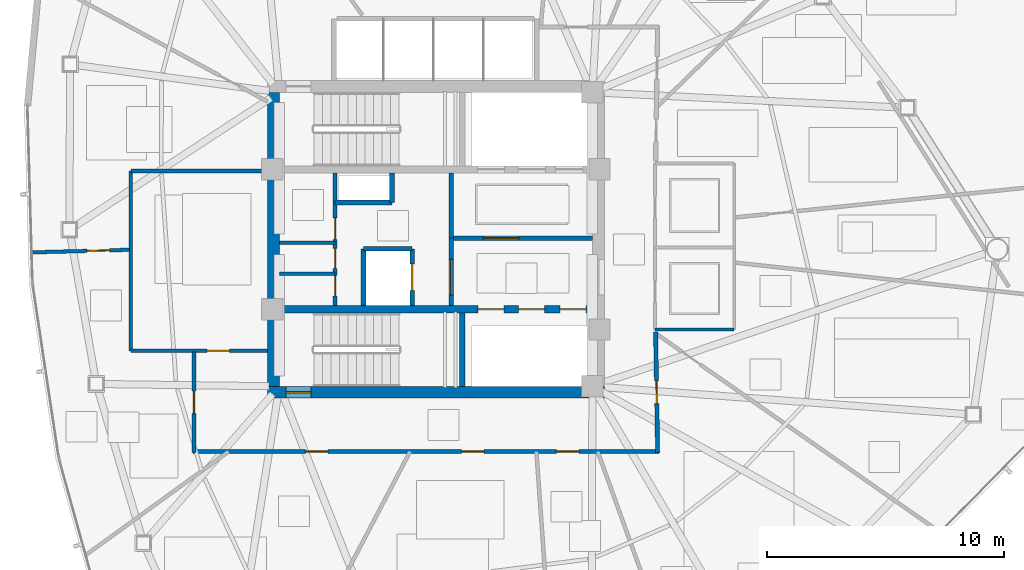
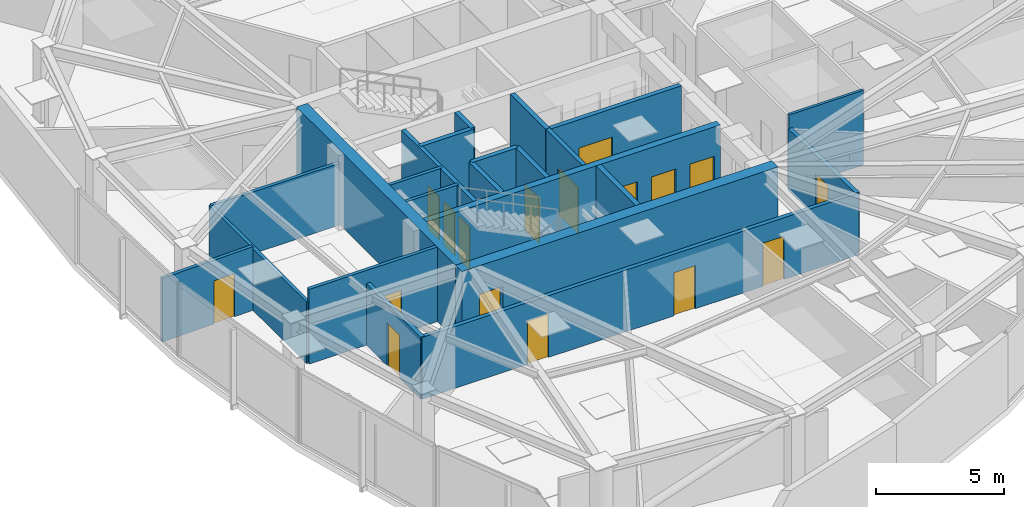
# One storey, part 12 of 18: 23 walls, 17 doors, 17 openings.
"""IFC4 building model written with IfcOpenShell, lengths in metres."""

from ifc_helpers import new_model, si_unit, direction, frame, frame_2d, origin, place, context, subcontext, project, spatial, rectangle, extrude, material, layer, layer_set, type_object, element, fill, save


model = new_model("IFC4")

# Units and contexts
model_context = context("Model", 3, precision=1e-05, world=origin(), true_north=direction((0.0, 1.0)))
body_context = subcontext(model_context, "Body", "Model", "MODEL_VIEW")
ifc_project = project(units=[si_unit("LENGTHUNIT", "METRE"), si_unit("AREAUNIT", "SQUARE_METRE"), si_unit("VOLUMEUNIT", "CUBIC_METRE"), si_unit("PLANEANGLEUNIT", "RADIAN"), si_unit("MASSUNIT", "GRAM", prefix="KILO")], contexts=[model_context])

# Site, building, storey
site_placement = place(None, origin())
site = spatial("IfcSite", under=ifc_project, at=site_placement, CompositionType="ELEMENT")
building_placement = place(site_placement, origin())
building = spatial("IfcBuilding", under=site, at=building_placement, Name="Tavelor Broadcast Tower", CompositionType="ELEMENT")
storey_placement = place(building_placement, frame((0.0, 0.0, 181.050048828125)))
storey = spatial("IfcBuildingStorey", under=building, at=storey_placement, Name="L43", CompositionType="ELEMENT", Elevation=181.050048828125)

# Wall, opening, door
ifc_material_1 = material(Name="Concrete C50/60", Category="concrete")
ifc_layer_1 = layer(ifc_material_1, 0.5)
ifc_layer_set_1 = layer_set([ifc_layer_1], Name="Concrete C50/60")
wall_type_1 = type_object("IfcWallType", Name="Core Shear Wall 500 mm", PredefinedType="SHEAR", material=ifc_layer_set_1)
wall_1_placement = place(storey_placement, frame((42.89990234375, 38.550048828125, 0.0), z_axis=(0.0, 0.0, 1.0), x_axis=(1.0, 0.0, 0.0)))
wall_1 = element("IfcWall", 1, at=wall_1_placement, inside=storey, type_object=wall_type_1, Name="L43 Central Core Shear Wall S", PredefinedType="SHEAR", context=body_context, shape_type="SweptSolid", body=[
    extrude(rectangle(XDim=14.2001953125, YDim=0.5, at=frame_2d((7.10009765625, 0.0))), origin(), (0.0, 0.0, 1.0), 3.550048828125),
])
opening_1_placement = place(wall_1_placement, frame((0.780029296875, 0.0, 0.0)))
opening_1 = element("IfcOpeningElement", 2, at=opening_1_placement, cuts=wall_1, Name="Opening DR11", PredefinedType="OPENING", context=body_context, shape_type="SweptSolid", body=[
    extrude(rectangle(XDim=1.050048828125, YDim=2.199951171875, at=frame_2d((0.52490234375, 1.10009765625))), frame((0.0, 0.260009765625, 0.0), z_axis=(0.0, -1.0, 0.0), x_axis=(1.0, 0.0, 0.0)), (0.0, 0.0, 1.0), 0.52001953125),
])
ifc_material_2 = material(Name="Steel S355", Category="steel")
door_type_1 = type_object("IfcDoorType", Name="Stair Core Fire Escape Door 1050x2200", OperationType="NOTDEFINED", PredefinedType="DOOR", material=ifc_material_2)
door_1_placement = place(opening_1_placement, origin())
door_1 = element("IfcDoor", 3, at=door_1_placement, inside=storey, type_object=door_type_1, Name="L43 Stair ST2 Protected Exit Door", OperationType="SINGLE_SWING_RIGHT", OverallHeight=2.199951171875, OverallWidth=1.050048828125, PredefinedType="DOOR", context=body_context, shape_type="SweptSolid", body=[
    extrude(rectangle(XDim=1.050048828125, YDim=2.199951171875, at=frame_2d((0.52490234375, 1.10009765625))), frame((0.0, 0.02490234375, 0.0), z_axis=(0.0, -1.0, 0.0), x_axis=(1.0, 0.0, 0.0)), (0.0, 0.0, 1.0), 0.050048828125),
])
fill(opening_1, door_1)

# Wall
wall_2_placement = place(storey_placement, frame((43.14990234375, 38.800048828125, 0.0), z_axis=(0.0, 0.0, 1.0), x_axis=(0.0, 1.0, 0.0)))
element("IfcWall", 4, at=wall_2_placement, inside=storey, type_object=wall_type_1, Name="L43 Central Core Shear Wall W", PredefinedType="SHEAR", context=body_context, shape_type="SweptSolid", body=[
    extrude(rectangle(XDim=12.39990234375, YDim=0.5, at=frame_2d((6.199951171875, 0.0))), origin(), (0.0, 0.0, 1.0), 3.550048828125),
])

# Wall, openings, doors
ifc_layer_2 = layer(ifc_material_1, 0.300048828125)
ifc_layer_set_2 = layer_set([ifc_layer_2], Name="Concrete C50/60")
wall_type_2 = type_object("IfcWallType", Name="Core Spine Shear Wall 300 mm C50", PredefinedType="SHEAR", material=ifc_layer_set_2)
wall_3_placement = place(storey_placement, frame((43.39990234375, 42.050048828125, 0.0), z_axis=(0.0, 0.0, 1.0), x_axis=(1.0, 0.0, 0.0)))
wall_3 = element("IfcWall", 5, at=wall_3_placement, inside=storey, type_object=wall_type_2, Name="L43 Central Core Shear Wall SP2", PredefinedType="SHEAR", context=body_context, shape_type="SweptSolid", body=[
    extrude(rectangle(XDim=13.2001953125, YDim=0.300048828125, at=frame_2d((6.60009765625, 0.0))), origin(), (0.0, 0.0, 1.0), 3.550048828125),
])
opening_2_placement = place(wall_3_placement, frame((8.3701171875, 0.0, 0.0)))
opening_2 = element("IfcOpeningElement", 6, at=opening_2_placement, cuts=wall_3, Name="Opening LD01", PredefinedType="OPENING", context=body_context, shape_type="SweptSolid", body=[
    extrude(rectangle(XDim=1.10009765625, YDim=2.14990234375, at=frame_2d((0.550048828125, 1.074951171875))), frame((0.0, 0.16015625, 0.0), z_axis=(0.0, -1.0, 0.0), x_axis=(1.0, 0.0, 0.0)), (0.0, 0.0, 1.0), 0.320068359375),
])
opening_3_placement = place(wall_3_placement, frame((10.090087890625, 0.0, 0.0)))
opening_3 = element("IfcOpeningElement", 7, at=opening_3_placement, cuts=wall_3, Name="Opening LD01", PredefinedType="OPENING", context=body_context, shape_type="SweptSolid", body=[
    extrude(rectangle(XDim=1.10009765625, YDim=2.14990234375, at=frame_2d((0.550048828125, 1.074951171875))), frame((0.0, 0.16015625, 0.0), z_axis=(0.0, -1.0, 0.0), x_axis=(1.0, 0.0, 0.0)), (0.0, 0.0, 1.0), 0.320068359375),
])
opening_4_placement = place(wall_3_placement, frame((11.830078125, 0.0, 0.0)))
opening_4 = element("IfcOpeningElement", 8, at=opening_4_placement, cuts=wall_3, Name="Opening LD01", PredefinedType="OPENING", context=body_context, shape_type="SweptSolid", body=[
    extrude(rectangle(XDim=1.10009765625, YDim=2.14990234375, at=frame_2d((0.550048828125, 1.074951171875))), frame((0.0, 0.16015625, 0.0), z_axis=(0.0, -1.0, 0.0), x_axis=(1.0, 0.0, 0.0)), (0.0, 0.0, 1.0), 0.320068359375),
])
ifc_material_3 = material(Name="Brushed Stainless Steel", Category="steel")
door_type_2 = type_object("IfcDoorType", Name="Passenger Lift Sliding Landing Door 1100x2150", OperationType="NOTDEFINED", PredefinedType="DOOR", material=ifc_material_3)
door_2_placement = place(opening_2_placement, origin())
door_2 = element("IfcDoor", 9, at=door_2_placement, inside=storey, type_object=door_type_2, Name="L43 Lift PLM1 Sliding Landing Door", OperationType="SLIDING_TO_LEFT", OverallHeight=2.14990234375, OverallWidth=1.10009765625, PredefinedType="DOOR", context=body_context, shape_type="SweptSolid", body=[
    extrude(rectangle(XDim=1.10009765625, YDim=2.14990234375, at=frame_2d((0.550048828125, 1.074951171875))), frame((0.0, 0.02490234375, 0.0), z_axis=(0.0, -1.0, 0.0), x_axis=(1.0, 0.0, 0.0)), (0.0, 0.0, 1.0), 0.050048828125),
])
fill(opening_2, door_2)
door_3_placement = place(opening_3_placement, origin())
door_3 = element("IfcDoor", 10, at=door_3_placement, inside=storey, type_object=door_type_2, Name="L43 Lift PLM2 Sliding Landing Door", OperationType="SLIDING_TO_LEFT", OverallHeight=2.14990234375, OverallWidth=1.10009765625, PredefinedType="DOOR", context=body_context, shape_type="SweptSolid", body=[
    extrude(rectangle(XDim=1.10009765625, YDim=2.14990234375, at=frame_2d((0.550048828125, 1.074951171875))), frame((0.0, 0.02490234375, 0.0), z_axis=(0.0, -1.0, 0.0), x_axis=(1.0, 0.0, 0.0)), (0.0, 0.0, 1.0), 0.050048828125),
])
fill(opening_3, door_3)
door_4_placement = place(opening_4_placement, origin())
door_4 = element("IfcDoor", 11, at=door_4_placement, inside=storey, type_object=door_type_2, Name="L43 Lift PLM3 Sliding Landing Door", OperationType="SLIDING_TO_LEFT", OverallHeight=2.14990234375, OverallWidth=1.10009765625, PredefinedType="DOOR", context=body_context, shape_type="SweptSolid", body=[
    extrude(rectangle(XDim=1.10009765625, YDim=2.14990234375, at=frame_2d((0.550048828125, 1.074951171875))), frame((0.0, 0.02490234375, 0.0), z_axis=(0.0, -1.0, 0.0), x_axis=(1.0, 0.0, 0.0)), (0.0, 0.0, 1.0), 0.050048828125),
])
fill(opening_4, door_4)

# Wall, opening, door
ifc_material_4 = material(Name="Calcium Silicate Fire Board 180 mm", Category="gypsum")
ifc_layer_3 = layer(ifc_material_4, 0.179931640625)
ifc_layer_set_3 = layer_set([ifc_layer_3], Name="Calcium Silicate Fire Board 180 mm")
wall_type_3 = type_object("IfcWallType", Name="Fire-Rated Corridor Partition Wall 180 mm", PredefinedType="PARTITIONING", material=ifc_layer_set_3)
wall_4_placement = place(storey_placement, frame((50.64990234375, 42.199951171875, 0.0), z_axis=(0.0, 0.0, 1.0), x_axis=(0.0, 1.0, 0.0)))
wall_4 = element("IfcWall", 12, at=wall_4_placement, inside=storey, type_object=wall_type_3, Name="L43 Core Lobby Zoning Wall", PredefinedType="PARTITIONING", context=body_context, shape_type="SweptSolid", body=[
    extrude(rectangle(XDim=2.85009765625, YDim=0.179931640625, at=frame_2d((1.425048828125, 0.0))), origin(), (0.0, 0.0, 1.0), 3.550048828125),
])
opening_5_placement = place(wall_4_placement, frame((0.449951171875, 0.0, 0.0)))
opening_5 = element("IfcOpeningElement", 13, at=opening_5_placement, cuts=wall_4, Name="Opening DR14", PredefinedType="OPENING", context=body_context, shape_type="SweptSolid", body=[
    extrude(rectangle(XDim=1.5, YDim=2.199951171875, at=frame_2d((0.75, 1.10009765625))), frame((0.0, 0.10009765625, 0.0), z_axis=(0.0, -1.0, 0.0), x_axis=(1.0, 0.0, 0.0)), (0.0, 0.0, 1.0), 0.199951171875),
])
door_type_3 = type_object("IfcDoorType", Name="Firefighting Lobby Double Fire Door 1500x2200", OperationType="NOTDEFINED", PredefinedType="DOOR", material=ifc_material_2)
door_5_placement = place(opening_5_placement, origin())
door_5 = element("IfcDoor", 14, at=door_5_placement, inside=storey, type_object=door_type_3, Name="L43 Core West Lobby Double Fire Door", OperationType="SINGLE_SWING_RIGHT", OverallHeight=2.199951171875, OverallWidth=1.5, PredefinedType="DOOR", context=body_context, shape_type="SweptSolid", body=[
    extrude(rectangle(XDim=1.5, YDim=2.199951171875, at=frame_2d((0.75, 1.10009765625))), frame((0.0, 0.02490234375, 0.0), z_axis=(0.0, -1.0, 0.0), x_axis=(1.0, 0.0, 0.0)), (0.0, 0.0, 1.0), 0.050048828125),
])
fill(opening_5, door_5)

# Wall, openings, doors
wall_5_placement = place(storey_placement, frame((45.75, 42.199951171875, 0.0), z_axis=(0.0, 0.0, 1.0), x_axis=(0.0, 1.0, 0.0)))
wall_5 = element("IfcWall", 15, at=wall_5_placement, inside=storey, type_object=wall_type_3, Name="L43 Core West Service East Wall", PredefinedType="PARTITIONING", context=body_context, shape_type="SweptSolid", body=[
    extrude(rectangle(XDim=5.60009765625, YDim=0.179931640625, at=frame_2d((2.800048828125, 0.0))), origin(), (0.0, 0.0, 1.0), 3.550048828125),
])
opening_6_placement = place(wall_5_placement, frame((0.419921875, 0.0, 0.0)))
opening_6 = element("IfcOpeningElement", 16, at=opening_6_placement, cuts=wall_5, Name="Opening DR36", PredefinedType="OPENING", context=body_context, shape_type="SweptSolid", body=[
    extrude(rectangle(XDim=0.85009765625, YDim=2.050048828125, at=frame_2d((0.425048828125, 1.02490234375))), frame((0.0, 0.10009765625, 0.0), z_axis=(0.0, -1.0, 0.0), x_axis=(1.0, 0.0, 0.0)), (0.0, 0.0, 1.0), 0.199951171875),
])
opening_7_placement = place(wall_5_placement, frame((1.570068359375, 0.0, 0.0)))
opening_7 = element("IfcOpeningElement", 17, at=opening_7_placement, cuts=wall_5, Name="Opening DR36", PredefinedType="OPENING", context=body_context, shape_type="SweptSolid", body=[
    extrude(rectangle(XDim=0.85009765625, YDim=2.050048828125, at=frame_2d((0.425048828125, 1.02490234375))), frame((0.0, 0.10009765625, 0.0), z_axis=(0.0, -1.0, 0.0), x_axis=(1.0, 0.0, 0.0)), (0.0, 0.0, 1.0), 0.199951171875),
])
opening_8_placement = place(wall_5_placement, frame((2.800048828125, 0.0, 0.0)))
opening_8 = element("IfcOpeningElement", 18, at=opening_8_placement, cuts=wall_5, Name="Opening DR32", PredefinedType="OPENING", context=body_context, shape_type="SweptSolid", body=[
    extrude(rectangle(XDim=0.89990234375, YDim=2.050048828125, at=frame_2d((0.449951171875, 1.02490234375))), frame((0.0, 0.10009765625, 0.0), z_axis=(0.0, -1.0, 0.0), x_axis=(1.0, 0.0, 0.0)), (0.0, 0.0, 1.0), 0.199951171875),
])
ifc_material_5 = material(Name="Timber Solid Core Hardwood", Category="wood")
door_type_4 = type_object("IfcDoorType", Name="Accessible Washroom Door 900x2050", OperationType="NOTDEFINED", PredefinedType="DOOR", material=ifc_material_5)
door_6_placement = place(opening_8_placement, origin())
door_6 = element("IfcDoor", 19, at=door_6_placement, inside=storey, type_object=door_type_4, Name="L43 Core Accessible WC Door", OperationType="SINGLE_SWING_LEFT", OverallHeight=2.050048828125, OverallWidth=0.89990234375, PredefinedType="DOOR", context=body_context, shape_type="SweptSolid", body=[
    extrude(rectangle(XDim=0.89990234375, YDim=2.050048828125, at=frame_2d((0.449951171875, 1.02490234375))), frame((0.0, 0.02490234375, 0.0), z_axis=(0.0, -1.0, 0.0), x_axis=(1.0, 0.0, 0.0)), (0.0, 0.0, 1.0), 0.050048828125),
])
fill(opening_8, door_6)
door_type_5 = type_object("IfcDoorType", Name="Service Room Fire Door 850x2050", OperationType="NOTDEFINED", PredefinedType="DOOR", material=ifc_material_2)
door_7_placement = place(opening_6_placement, origin())
door_7 = element("IfcDoor", 20, at=door_7_placement, inside=storey, type_object=door_type_5, Name="L43 Core Medical Room Door", OperationType="SINGLE_SWING_LEFT", OverallHeight=2.050048828125, OverallWidth=0.85009765625, PredefinedType="DOOR", context=body_context, shape_type="SweptSolid", body=[
    extrude(rectangle(XDim=0.85009765625, YDim=2.050048828125, at=frame_2d((0.425048828125, 1.02490234375))), frame((0.0, 0.02490234375, 0.0), z_axis=(0.0, -1.0, 0.0), x_axis=(1.0, 0.0, 0.0)), (0.0, 0.0, 1.0), 0.050048828125),
])
fill(opening_6, door_7)
door_8_placement = place(opening_7_placement, origin())
door_8 = element("IfcDoor", 21, at=door_8_placement, inside=storey, type_object=door_type_5, Name="L43 Core Copy Room Door", OperationType="SINGLE_SWING_RIGHT", OverallHeight=2.050048828125, OverallWidth=0.85009765625, PredefinedType="DOOR", context=body_context, shape_type="SweptSolid", body=[
    extrude(rectangle(XDim=0.85009765625, YDim=2.050048828125, at=frame_2d((0.425048828125, 1.02490234375))), frame((0.0, 0.02490234375, 0.0), z_axis=(0.0, -1.0, 0.0), x_axis=(1.0, 0.0, 0.0)), (0.0, 0.0, 1.0), 0.050048828125),
])
fill(opening_7, door_8)

# Wall, opening, door
wall_6_placement = place(storey_placement, frame((59.265869140625, 41.10009765625, 0.0), z_axis=(0.0, 0.0, 1.0), x_axis=(0.016656377357, -0.999861272924, 0.0)))
wall_6 = element("IfcWall", 22, at=wall_6_placement, inside=storey, type_object=wall_type_3, Name="L43 Corridor Compartment Wall 03", PredefinedType="PARTITIONING", context=body_context, shape_type="SweptSolid", body=[
    extrude(rectangle(XDim=5.100830078125, YDim=0.179931640625, at=frame_2d((2.55029296875, 0.0))), origin(), (0.0, 0.0, 1.0), 2.93505859375),
])
opening_9_placement = place(wall_6_placement, frame((2.0751953125, 0.0, 0.0)))
opening_9 = element("IfcOpeningElement", 23, at=opening_9_placement, cuts=wall_6, Name="Opening DR18", PredefinedType="OPENING", context=body_context, shape_type="SweptSolid", body=[
    extrude(rectangle(XDim=0.949951171875, YDim=2.050048828125, at=frame_2d((0.47509765625, 1.02490234375))), frame((0.0, 0.10009765625, 0.0), z_axis=(0.0, -1.0, 0.0), x_axis=(1.0, 0.0, 0.0)), (0.0, 0.0, 1.0), 0.199951171875),
])
door_type_6 = type_object("IfcDoorType", Name="Corridor Rated Compartment Door 950x2050", OperationType="NOTDEFINED", PredefinedType="DOOR", material=ifc_material_5)
door_9_placement = place(opening_9_placement, origin())
door_9 = element("IfcDoor", 24, at=door_9_placement, inside=storey, type_object=door_type_6, Name="L43 Syndication Legal Office Door R0", OperationType="SINGLE_SWING_LEFT", OverallHeight=2.050048828125, OverallWidth=0.949951171875, PredefinedType="DOOR", context=body_context, shape_type="SweptSolid", body=[
    extrude(rectangle(XDim=0.949951171875, YDim=2.050048828125, at=frame_2d((0.47509765625, 1.02490234375))), frame((0.0, 0.02490234375, 0.0), z_axis=(0.0, -1.0, 0.0), x_axis=(1.0, 0.0, 0.0)), (0.0, 0.0, 1.0), 0.050048828125),
])
fill(opening_9, door_9)

# Wall, openings, doors
wall_7_placement = place(storey_placement, frame((59.39990234375, 36.050048828125, 0.0), z_axis=(0.0, 0.0, 1.0), x_axis=(-1.0, 0.0, 0.0)))
wall_7 = element("IfcWall", 25, at=wall_7_placement, inside=storey, type_object=wall_type_3, Name="L43 Corridor Compartment Wall 04", PredefinedType="PARTITIONING", context=body_context, shape_type="SweptSolid", body=[
    extrude(rectangle(XDim=19.64990234375, YDim=0.179931640625, at=frame_2d((9.824951171875, 0.0))), origin(), (0.0, 0.0, 1.0), 2.93505859375),
])
opening_10_placement = place(wall_7_placement, frame((3.373779296875, 0.0, 0.0)))
opening_10 = element("IfcOpeningElement", 26, at=opening_10_placement, cuts=wall_7, Name="Opening DR18", PredefinedType="OPENING", context=body_context, shape_type="SweptSolid", body=[
    extrude(rectangle(XDim=0.949951171875, YDim=2.050048828125, at=frame_2d((0.47509765625, 1.02490234375))), frame((0.0, 0.10009765625, 0.0), z_axis=(0.0, -1.0, 0.0), x_axis=(1.0, 0.0, 0.0)), (0.0, 0.0, 1.0), 0.199951171875),
])
opening_11_placement = place(wall_7_placement, frame((7.369384765625, 0.0, 0.0)))
opening_11 = element("IfcOpeningElement", 27, at=opening_11_placement, cuts=wall_7, Name="Opening DR18", PredefinedType="OPENING", context=body_context, shape_type="SweptSolid", body=[
    extrude(rectangle(XDim=0.949951171875, YDim=2.050048828125, at=frame_2d((0.47509765625, 1.02490234375))), frame((0.0, 0.10009765625, 0.0), z_axis=(0.0, -1.0, 0.0), x_axis=(1.0, 0.0, 0.0)), (0.0, 0.0, 1.0), 0.199951171875),
])
opening_12_placement = place(wall_7_placement, frame((13.95703125, 0.0, 0.0)))
opening_12 = element("IfcOpeningElement", 28, at=opening_12_placement, cuts=wall_7, Name="Opening DR18", PredefinedType="OPENING", context=body_context, shape_type="SweptSolid", body=[
    extrude(rectangle(XDim=0.949951171875, YDim=2.050048828125, at=frame_2d((0.47509765625, 1.02490234375))), frame((0.0, 0.10009765625, 0.0), z_axis=(0.0, -1.0, 0.0), x_axis=(1.0, 0.0, 0.0)), (0.0, 0.0, 1.0), 0.199951171875),
])
door_10_placement = place(opening_10_placement, origin())
door_10 = element("IfcDoor", 29, at=door_10_placement, inside=storey, type_object=door_type_6, Name="L43 Colour Grading Studio Door R13", OperationType="SINGLE_SWING_RIGHT", OverallHeight=2.050048828125, OverallWidth=0.949951171875, PredefinedType="DOOR", context=body_context, shape_type="SweptSolid", body=[
    extrude(rectangle(XDim=0.949951171875, YDim=2.050048828125, at=frame_2d((0.47509765625, 1.02490234375))), frame((0.0, 0.02490234375, 0.0), z_axis=(0.0, -1.0, 0.0), x_axis=(1.0, 0.0, 0.0)), (0.0, 0.0, 1.0), 0.050048828125),
])
fill(opening_10, door_10)
door_11_placement = place(opening_11_placement, origin())
door_11 = element("IfcDoor", 30, at=door_11_placement, inside=storey, type_object=door_type_6, Name="L43 Documentary Planning Office Door R2", OperationType="SINGLE_SWING_LEFT", OverallHeight=2.050048828125, OverallWidth=0.949951171875, PredefinedType="DOOR", context=body_context, shape_type="SweptSolid", body=[
    extrude(rectangle(XDim=0.949951171875, YDim=2.050048828125, at=frame_2d((0.47509765625, 1.02490234375))), frame((0.0, 0.02490234375, 0.0), z_axis=(0.0, -1.0, 0.0), x_axis=(1.0, 0.0, 0.0)), (0.0, 0.0, 1.0), 0.050048828125),
])
fill(opening_11, door_11)
door_12_placement = place(opening_12_placement, origin())
door_12 = element("IfcDoor", 31, at=door_12_placement, inside=storey, type_object=door_type_6, Name="L43 Digital Publishing Workspace Door R3", OperationType="SINGLE_SWING_RIGHT", OverallHeight=2.050048828125, OverallWidth=0.949951171875, PredefinedType="DOOR", context=body_context, shape_type="SweptSolid", body=[
    extrude(rectangle(XDim=0.949951171875, YDim=2.050048828125, at=frame_2d((0.47509765625, 1.02490234375))), frame((0.0, 0.02490234375, 0.0), z_axis=(0.0, -1.0, 0.0), x_axis=(1.0, 0.0, 0.0)), (0.0, 0.0, 1.0), 0.050048828125),
])
fill(opening_12, door_12)

# Wall, opening, door
wall_8_placement = place(storey_placement, frame((39.800048828125, 36.0, 0.0), z_axis=(0.0, 0.0, 1.0), x_axis=(0.0, 1.0, 0.0)))
wall_8 = element("IfcWall", 32, at=wall_8_placement, inside=storey, type_object=wall_type_3, Name="L43 Corridor Compartment Wall 05", PredefinedType="PARTITIONING", context=body_context, shape_type="SweptSolid", body=[
    extrude(rectangle(XDim=4.25, YDim=0.179931640625, at=frame_2d((2.125, 0.0))), origin(), (0.0, 0.0, 1.0), 2.93505859375),
])
opening_13_placement = place(wall_8_placement, frame((1.64990234375, 0.0, 0.0)))
opening_13 = element("IfcOpeningElement", 33, at=opening_13_placement, cuts=wall_8, Name="Opening DR18", PredefinedType="OPENING", context=body_context, shape_type="SweptSolid", body=[
    extrude(rectangle(XDim=0.949951171875, YDim=2.050048828125, at=frame_2d((0.47509765625, 1.02490234375))), frame((0.0, 0.10009765625, 0.0), z_axis=(0.0, -1.0, 0.0), x_axis=(1.0, 0.0, 0.0)), (0.0, 0.0, 1.0), 0.199951171875),
])
door_13_placement = place(opening_13_placement, origin())
door_13 = element("IfcDoor", 34, at=door_13_placement, inside=storey, type_object=door_type_6, Name="L43 Broadcast Editorial Office Door R4", OperationType="SINGLE_SWING_LEFT", OverallHeight=2.050048828125, OverallWidth=0.949951171875, PredefinedType="DOOR", context=body_context, shape_type="SweptSolid", body=[
    extrude(rectangle(XDim=0.949951171875, YDim=2.050048828125, at=frame_2d((0.47509765625, 1.02490234375))), frame((0.0, 0.02490234375, 0.0), z_axis=(0.0, -1.0, 0.0), x_axis=(1.0, 0.0, 0.0)), (0.0, 0.0, 1.0), 0.050048828125),
])
fill(opening_13, door_13)

# Walls
ifc_material_6 = material(Name="Gypsum Acoustic Plasterboard 150 mm", Category="gypsum")
ifc_layer_4 = layer(ifc_material_6, 0.14990234375)
ifc_layer_set_4 = layer_set([ifc_layer_4], Name="Gypsum Acoustic Plasterboard 150 mm")
wall_type_4 = type_object("IfcWallType", Name="Interior Acoustic Partition Wall 150 mm", PredefinedType="PARTITIONING", material=ifc_layer_set_4)
for number, where, z_axis, x_axis, name in (
    (35, (43.39990234375, 43.550048828125, 0.0), (0.0, 0.0, 1.0), (1.0, 0.0, 0.0), "L43 Core Split Wall B1"),
    (36, (43.39990234375, 44.85009765625, 0.0), (0.0, 0.0, 1.0), (1.0, 0.0, 0.0), "L43 Core Split Wall B2"),
):
    element("IfcWall", number, at=place(storey_placement, frame(where, z_axis=z_axis, x_axis=x_axis)), inside=storey, type_object=wall_type_4, Name=name, PredefinedType="PARTITIONING", context=body_context, shape_type="SweptSolid", body=[
        extrude(rectangle(XDim=2.35009765625, YDim=0.14990234375, at=frame_2d((1.175048828125, 0.0))), origin(), (0.0, 0.0, 1.0), 3.550048828125),
    ])

# Wall, opening, door
wall_9_placement = place(storey_placement, frame((37.139892578125, 40.300048828125, 0.0), z_axis=(0.0, 0.0, 1.0), x_axis=(1.0, 0.0, 0.0)))
wall_9 = element("IfcWall", 37, at=wall_9_placement, inside=storey, type_object=wall_type_4, Name="L43 Reclaimed Shaft Pantry South Wall", PredefinedType="PARTITIONING", context=body_context, shape_type="SweptSolid", body=[
    extrude(rectangle(XDim=5.760009765625, YDim=0.14990234375, at=frame_2d((2.8798828125, 0.0))), origin(), (0.0, 0.0, 1.0), 3.550048828125),
])
opening_14_placement = place(wall_9_placement, frame((3.2099609375, 0.0, 0.0)))
opening_14 = element("IfcOpeningElement", 38, at=opening_14_placement, cuts=wall_9, Name="Opening DR18", PredefinedType="OPENING", context=body_context, shape_type="SweptSolid", body=[
    extrude(rectangle(XDim=0.949951171875, YDim=2.050048828125, at=frame_2d((0.47509765625, 1.02490234375))), frame((0.0, 0.0849609375, 0.0), z_axis=(0.0, -1.0, 0.0), x_axis=(1.0, 0.0, 0.0)), (0.0, 0.0, 1.0), 0.169921875),
])
door_14_placement = place(opening_14_placement, origin())
door_14 = element("IfcDoor", 39, at=door_14_placement, inside=storey, type_object=door_type_6, Name="L43 Broadcast IT Patch and Pantry Door", OperationType="SINGLE_SWING_LEFT", OverallHeight=2.050048828125, OverallWidth=0.949951171875, PredefinedType="DOOR", context=body_context, shape_type="SweptSolid", body=[
    extrude(rectangle(XDim=0.949951171875, YDim=2.050048828125, at=frame_2d((0.47509765625, 1.02490234375))), frame((0.0, 0.02490234375, 0.0), z_axis=(0.0, -1.0, 0.0), x_axis=(1.0, 0.0, 0.0)), (0.0, 0.0, 1.0), 0.050048828125),
])
fill(opening_14, door_14)

# Walls
wall_10_placement = place(storey_placement, frame((37.139892578125, 40.300048828125, 0.0), z_axis=(0.0, 0.0, 1.0), x_axis=(0.0, 1.0, 0.0)))
element("IfcWall", 40, at=wall_10_placement, inside=storey, type_object=wall_type_4, Name="L43 Reclaimed Shaft Pantry West Wall", PredefinedType="PARTITIONING", context=body_context, shape_type="SweptSolid", body=[
    extrude(rectangle(XDim=7.579833984375, YDim=0.14990234375, at=frame_2d((3.7900390625, 0.0))), origin(), (0.0, 0.0, 1.0), 2.93505859375),
])
wall_11_placement = place(storey_placement, frame((37.139892578125, 47.8798828125, 0.0), z_axis=(0.0, 0.0, 1.0), x_axis=(1.0, 0.0, 0.0)))
element("IfcWall", 41, at=wall_11_placement, inside=storey, type_object=wall_type_4, Name="L43 Reclaimed Shaft Pantry North Wall", PredefinedType="PARTITIONING", context=body_context, shape_type="SweptSolid", body=[
    extrude(rectangle(XDim=5.760009765625, YDim=0.14990234375, at=frame_2d((2.8798828125, 0.0))), origin(), (0.0, 0.0, 1.0), 2.93505859375),
])

# Wall, opening, door
wall_12_placement = place(storey_placement, frame((37.080078125, 44.558837890625, 0.0), z_axis=(0.0, 0.0, 1.0), x_axis=(-0.999644298454, -0.026669768794, 0.0)))
wall_12 = element("IfcWall", 42, at=wall_12_placement, inside=storey, type_object=wall_type_4, Name="L43 Radial Compartment Wall 02", PredefinedType="PARTITIONING", context=body_context, shape_type="SweptSolid", body=[
    extrude(rectangle(XDim=4.1376953125, YDim=0.14990234375, at=frame_2d((2.06884765625, 0.0))), origin(), (0.0, 0.0, 1.0), 3.02490234375),
])
opening_15_placement = place(wall_12_placement, frame((0.85009765625, 0.0, 0.0)))
opening_15 = element("IfcOpeningElement", 43, at=opening_15_placement, cuts=wall_12, Name="Opening DR18", PredefinedType="OPENING", context=body_context, shape_type="SweptSolid", body=[
    extrude(rectangle(XDim=0.949951171875, YDim=2.050048828125, at=frame_2d((0.47509765625, 1.02490234375))), frame((0.0, 0.0849609375, 0.0), z_axis=(0.0, -1.0, 0.0), x_axis=(1.0, 0.0, 0.0)), (0.0, 0.0, 1.0), 0.169921875),
])
door_15_placement = place(opening_15_placement, origin())
door_15 = element("IfcDoor", 44, at=door_15_placement, inside=storey, type_object=door_type_6, Name="L43 Suite Connecting Door 5", OperationType="SINGLE_SWING_RIGHT", OverallHeight=2.050048828125, OverallWidth=0.949951171875, PredefinedType="DOOR", context=body_context, shape_type="SweptSolid", body=[
    extrude(rectangle(XDim=0.949951171875, YDim=2.050048828125, at=frame_2d((0.47509765625, 1.02490234375))), frame((0.0, 0.02490234375, 0.0), z_axis=(0.0, -1.0, 0.0), x_axis=(1.0, 0.0, 0.0)), (0.0, 0.0, 1.0), 0.050048828125),
])
fill(opening_15, door_15)

ifc_material_7 = material(Name="Concrete Blockwork 200 mm", Category="masonry")
ifc_layer_5 = layer(ifc_material_7, 0.199951171875)
ifc_layer_set_5 = layer_set([ifc_layer_5], Name="Concrete Blockwork 200 mm")
wall_type_5 = type_object("IfcWallType", Name="Lift Hoistway Rated Front Wall 200 mm", PredefinedType="PARTITIONING", material=ifc_layer_set_5)
wall_13_placement = place(storey_placement, frame((49.0, 42.199951171875, 0.0), z_axis=(0.0, 0.0, 1.0), x_axis=(0.0, 1.0, 0.0)))
wall_13 = element("IfcWall", 45, at=wall_13_placement, inside=storey, type_object=wall_type_5, Name="L43 Mid-Rise Lift PLM4 Hoistway Front Wall", PredefinedType="PARTITIONING", context=body_context, shape_type="SweptSolid", body=[
    extrude(rectangle(XDim=2.400146484375, YDim=0.199951171875, at=frame_2d((1.2001953125, 0.0))), origin(), (0.0, 0.0, 1.0), 3.550048828125),
])
opening_16_placement = place(wall_13_placement, frame((0.64990234375, 0.0, 0.0)))
opening_16 = element("IfcOpeningElement", 46, at=opening_16_placement, cuts=wall_13, Name="Opening LD01", PredefinedType="OPENING", context=body_context, shape_type="SweptSolid", body=[
    extrude(rectangle(XDim=1.10009765625, YDim=2.14990234375, at=frame_2d((0.550048828125, 1.074951171875))), frame((0.0, 0.10986328125, 0.0), z_axis=(0.0, -1.0, 0.0), x_axis=(1.0, 0.0, 0.0)), (0.0, 0.0, 1.0), 0.219970703125),
])
door_16_placement = place(opening_16_placement, origin())
door_16 = element("IfcDoor", 47, at=door_16_placement, inside=storey, type_object=door_type_2, Name="L43 Lift PLM4 Sliding Landing Door", OperationType="SLIDING_TO_RIGHT", OverallHeight=2.14990234375, OverallWidth=1.10009765625, PredefinedType="DOOR", context=body_context, shape_type="SweptSolid", body=[
    extrude(rectangle(XDim=1.10009765625, YDim=2.14990234375, at=frame_2d((0.550048828125, 1.074951171875))), frame((0.0, 0.02490234375, 0.0), z_axis=(0.0, -1.0, 0.0), x_axis=(1.0, 0.0, 0.0)), (0.0, 0.0, 1.0), 0.050048828125),
])
fill(opening_16, door_16)

# Walls
ifc_layer_6 = layer(ifc_material_7, 0.199951171875)
ifc_layer_set_6 = layer_set([ifc_layer_6], Name="Concrete Blockwork 200 mm")
wall_type_6 = type_object("IfcWallType", Name="Lift and Riser Shaft Enclosure Wall 200 mm", PredefinedType="PARTITIONING", material=ifc_layer_set_6)
wall_14_placement = place(storey_placement, frame((45.75, 46.550048828125, 0.0), z_axis=(0.0, 0.0, 1.0), x_axis=(1.0, 0.0, 0.0)))
element("IfcWall", 48, at=wall_14_placement, inside=storey, type_object=wall_type_6, Name="L43 Riser Shaft South Wall", PredefinedType="PARTITIONING", context=body_context, shape_type="SweptSolid", body=[
    extrude(rectangle(XDim=2.39990234375, YDim=0.199951171875, at=frame_2d((1.199951171875, 0.0))), origin(), (0.0, 0.0, 1.0), 3.550048828125),
])
wall_15_placement = place(storey_placement, frame((48.14990234375, 46.550048828125, 0.0), z_axis=(0.0, 0.0, 1.0), x_axis=(0.0, 1.0, 0.0)))
element("IfcWall", 49, at=wall_15_placement, inside=storey, type_object=wall_type_6, Name="L43 Riser Shaft East Wall", PredefinedType="PARTITIONING", context=body_context, shape_type="SweptSolid", body=[
    extrude(rectangle(XDim=1.25, YDim=0.199951171875, at=frame_2d((0.625, 0.0))), origin(), (0.0, 0.0, 1.0), 3.550048828125),
])
wall_16_placement = place(storey_placement, frame((46.949951171875, 42.199951171875, 0.0), z_axis=(0.0, 0.0, 1.0), x_axis=(0.0, 1.0, 0.0)))
element("IfcWall", 50, at=wall_16_placement, inside=storey, type_object=wall_type_6, Name="L43 Mid-Rise Lift PLM4 West Wall", PredefinedType="PARTITIONING", context=body_context, shape_type="SweptSolid", body=[
    extrude(rectangle(XDim=2.400146484375, YDim=0.199951171875, at=frame_2d((1.2001953125, 0.0))), origin(), (0.0, 0.0, 1.0), 3.550048828125),
])
wall_17_placement = place(storey_placement, frame((46.949951171875, 44.60009765625, 0.0), z_axis=(0.0, 0.0, 1.0), x_axis=(1.0, 0.0, 0.0)))
element("IfcWall", 51, at=wall_17_placement, inside=storey, type_object=wall_type_6, Name="L43 Mid-Rise Lift PLM4 North Wall", PredefinedType="PARTITIONING", context=body_context, shape_type="SweptSolid", body=[
    extrude(rectangle(XDim=2.050048828125, YDim=0.199951171875, at=frame_2d((1.02490234375, 0.0))), origin(), (0.0, 0.0, 1.0), 3.550048828125),
])

# Wall, opening, door
wall_18_placement = place(storey_placement, frame((50.64990234375, 45.050048828125, 0.0), z_axis=(0.0, 0.0, 1.0), x_axis=(1.0, 0.0, 0.0)))
wall_18 = element("IfcWall", 52, at=wall_18_placement, inside=storey, type_object=wall_type_6, Name="L43 Firefighting Lobby South Wall", PredefinedType="PARTITIONING", context=body_context, shape_type="SweptSolid", body=[
    extrude(rectangle(XDim=5.9501953125, YDim=0.199951171875, at=frame_2d((2.97509765625, 0.0))), origin(), (0.0, 0.0, 1.0), 3.550048828125),
])
opening_17_placement = place(wall_18_placement, frame((1.35009765625, 0.0, 0.0)))
opening_17 = element("IfcOpeningElement", 53, at=opening_17_placement, cuts=wall_18, Name="Opening DR14", PredefinedType="OPENING", context=body_context, shape_type="SweptSolid", body=[
    extrude(rectangle(XDim=1.5, YDim=2.199951171875, at=frame_2d((0.75, 1.10009765625))), frame((0.0, 0.10986328125, 0.0), z_axis=(0.0, -1.0, 0.0), x_axis=(1.0, 0.0, 0.0)), (0.0, 0.0, 1.0), 0.219970703125),
])
door_17_placement = place(opening_17_placement, origin())
door_17 = element("IfcDoor", 54, at=door_17_placement, inside=storey, type_object=door_type_3, Name="L43 Firefighting Lobby Compartment Door", OperationType="SINGLE_SWING_LEFT", OverallHeight=2.199951171875, OverallWidth=1.5, PredefinedType="DOOR", context=body_context, shape_type="SweptSolid", body=[
    extrude(rectangle(XDim=1.5, YDim=2.199951171875, at=frame_2d((0.75, 1.10009765625))), frame((0.0, 0.02490234375, 0.0), z_axis=(0.0, -1.0, 0.0), x_axis=(1.0, 0.0, 0.0)), (0.0, 0.0, 1.0), 0.050048828125),
])
fill(opening_17, door_17)

# Walls
wall_19_placement = place(storey_placement, frame((50.64990234375, 45.050048828125, 0.0), z_axis=(0.0, 0.0, 1.0), x_axis=(0.0, 1.0, 0.0)))
element("IfcWall", 55, at=wall_19_placement, inside=storey, type_object=wall_type_6, Name="L43 Firefighting Lobby West Wall", PredefinedType="PARTITIONING", context=body_context, shape_type="SweptSolid", body=[
    extrude(rectangle(XDim=2.75, YDim=0.199951171875, at=frame_2d((1.375, 0.0))), origin(), (0.0, 0.0, 1.0), 3.550048828125),
])
ifc_material_8 = material(Name="Moisture-Resistant Plasterboard 120 mm", Category="gypsum")
ifc_layer_7 = layer(ifc_material_8, 0.1201171875)
ifc_layer_set_7 = layer_set([ifc_layer_7], Name="Moisture-Resistant Plasterboard 120 mm")
wall_type_7 = type_object("IfcWallType", Name="Moisture-Resistant Wet-Room Partition 120 mm", PredefinedType="PARTITIONING", material=ifc_layer_set_7)
wall_20_placement = place(storey_placement, frame((59.239990234375, 41.199951171875, 0.0), z_axis=(0.0, 0.0, 1.0), x_axis=(1.0, 0.0, 0.0)))
element("IfcWall", 56, at=wall_20_placement, inside=storey, type_object=wall_type_7, Name="L43 Floor Washrooms South Wall", PredefinedType="PARTITIONING", context=body_context, shape_type="SweptSolid", body=[
    extrude(rectangle(XDim=3.340087890625, YDim=0.1201171875, at=frame_2d((1.669921875, 0.0))), origin(), (0.0, 0.0, 1.0), 3.550048828125),
])
ifc_material_9 = material(Name="Concrete C40/50", Category="concrete")
ifc_layer_8 = layer(ifc_material_9, 0.219970703125)
ifc_layer_set_8 = layer_set([ifc_layer_8], Name="Concrete C40/50")
wall_type_8 = type_object("IfcWallType", Name="Structural Stairwell Shear Wall 220 mm", PredefinedType="SHEAR", material=ifc_layer_set_8)
wall_21_placement = place(storey_placement, frame((51.110107421875, 38.800048828125, 0.0), z_axis=(0.0, 0.0, 1.0), x_axis=(0.0, 1.0, 0.0)))
element("IfcWall", 57, at=wall_21_placement, inside=storey, type_object=wall_type_8, Name="L43 Stair ST2 Structural Shaft Wall", PredefinedType="SHEAR", context=body_context, shape_type="SweptSolid", body=[
    extrude(rectangle(XDim=3.099853515625, YDim=0.219970703125, at=frame_2d((1.5498046875, 0.0))), origin(), (0.0, 0.0, 1.0), 3.550048828125),
])

save(model, "model.ifc")
